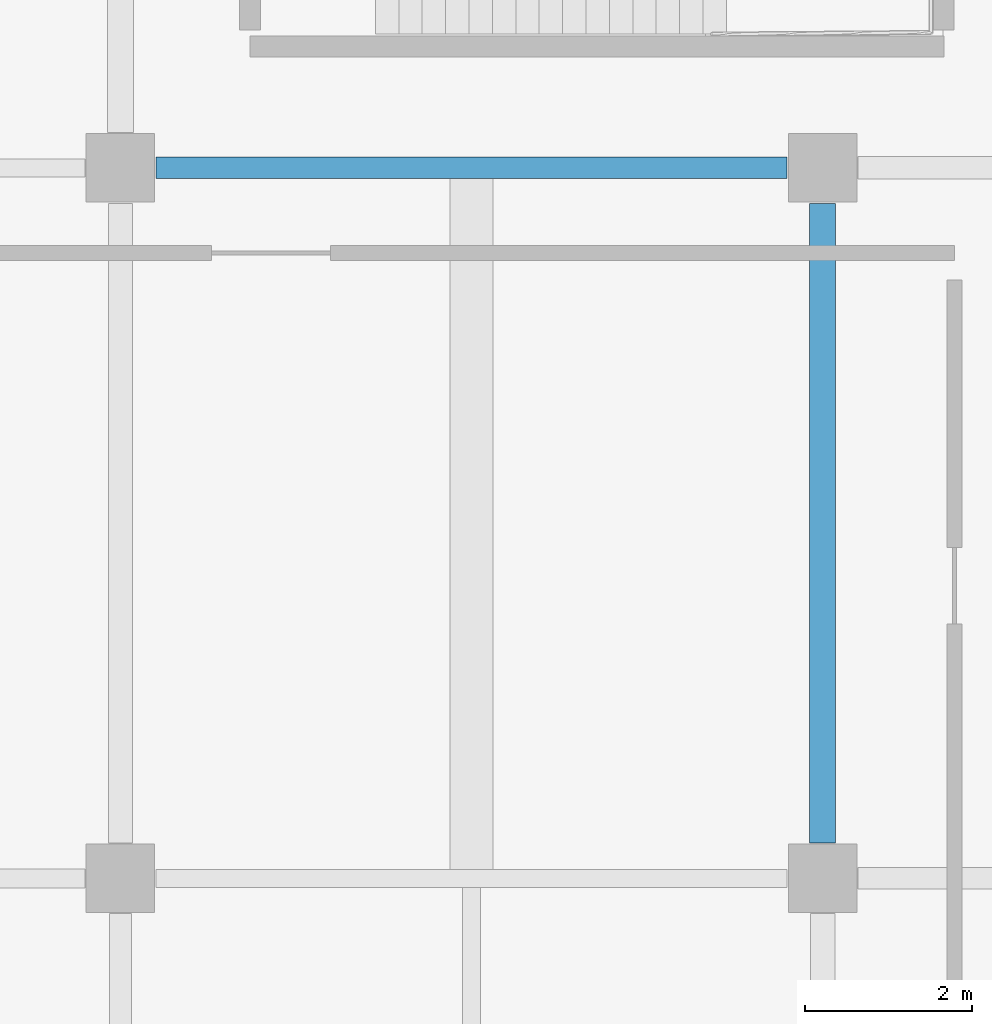
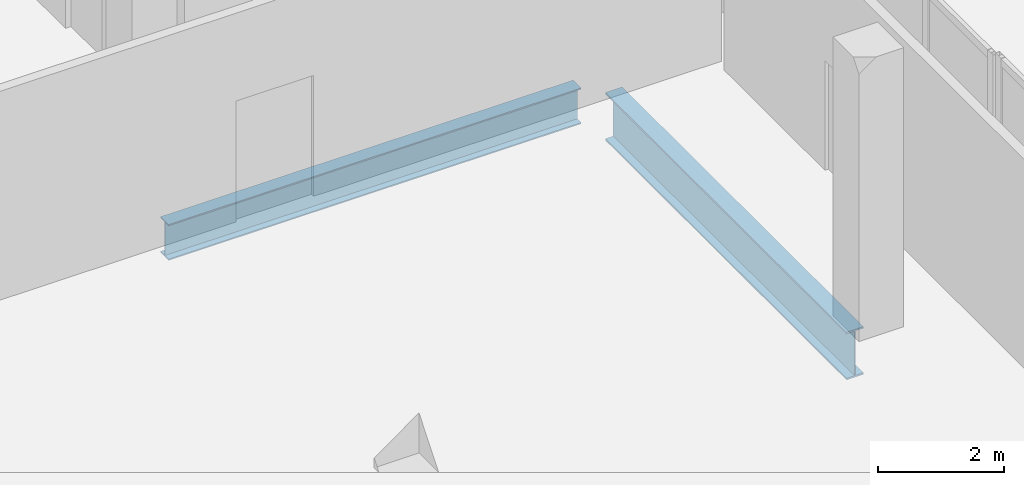
# One storey, part 25 of 107: 2 beams.
"""IFC4 building model written with IfcOpenShell, lengths in metres."""

from ifc_helpers import new_model, si_unit, direction, frame, origin, origin_2d, place, context, subcontext, project, spatial, i_section, extrude, material, material_profile, profile_set, type_object, element, save


model = new_model("IFC4")

# Units and contexts
model_context = context("Model", 3, precision=1e-05, world=origin(), true_north=direction((0.0, 1.0)))
body_context = subcontext(model_context, "Body", "Model", "MODEL_VIEW")
ifc_project = project(units=[si_unit("LENGTHUNIT", "METRE"), si_unit("AREAUNIT", "SQUARE_METRE"), si_unit("VOLUMEUNIT", "CUBIC_METRE"), si_unit("PLANEANGLEUNIT", "RADIAN"), si_unit("MASSUNIT", "GRAM", prefix="KILO")], contexts=[model_context])

# Site, building, storey
site_placement = place(None, origin())
site = spatial("IfcSite", under=ifc_project, at=site_placement, CompositionType="ELEMENT")
building_placement = place(site_placement, origin())
building = spatial("IfcBuilding", under=site, at=building_placement, Name="Solvento Point Concert Hall", CompositionType="ELEMENT")
storey_placement = place(building_placement, origin())
storey = spatial("IfcBuildingStorey", under=building, at=storey_placement, Name="L00", CompositionType="ELEMENT", Elevation=0.0)

# Beams
ifc_material_1 = material(Name="Structural Steel ASTM A992 Grade 50", Category="steel")
ifc_material_profile_1 = material_profile(ifc_material_1, i_section(OverallWidth=0.256103515625, OverallDepth=0.693115234375, WebThickness=0.014404296875, FlangeThickness=0.023681640625, at=origin_2d()), Name="W27X114")
ifc_profile_set_1 = profile_set([ifc_material_profile_1], Name="Structural Steel ASTM A992 Grade 50")
beam_type_1 = type_object("IfcBeamType", Name="Girder_W27X114", PredefinedType="USERDEFINED", material=ifc_profile_set_1)
beam_1_placement = place(storey_placement, frame((7.6240234375, 127.5, -0.760498046875), z_axis=(1.0, 0.0, 0.0), x_axis=(0.0, 1.0, 0.0)))
element("IfcBeam", 1, at=beam_1_placement, inside=storey, type_object=beam_type_1, Name="Primary girder B-23 L00", ObjectType="GIRDER", PredefinedType="USERDEFINED", context=body_context, shape_type="SweptSolid", body=[
    extrude(i_section(OverallWidth=0.256103515625, OverallDepth=0.693115234375, WebThickness=0.014404296875, FlangeThickness=0.023681640625, at=origin_2d()), origin(), (0.0, 0.0, 1.0), 7.552001953125),
])
ifc_material_2 = material(Name="Structural Steel ASTM A992 Grade 50", Category="steel")
ifc_material_profile_2 = material_profile(ifc_material_2, i_section(OverallWidth=0.3076171875, OverallDepth=0.927001953125, WebThickness=0.019287109375, FlangeThickness=0.031982421875, at=origin_2d()), Name="W36X194")
ifc_profile_set_2 = profile_set([ifc_material_profile_2], Name="Structural Steel ASTM A992 Grade 50")
beam_type_2 = type_object("IfcBeamType", Name="Girder_W36X194", PredefinedType="USERDEFINED", material=ifc_profile_set_2)
beam_2_placement = place(storey_placement, frame((15.60009765625, 119.424072265625, -0.87744140625), z_axis=(0.0, 1.0, 0.0), x_axis=(-1.0, 0.0, 0.0)))
element("IfcBeam", 2, at=beam_2_placement, inside=storey, type_object=beam_type_2, Name="Primary girder B-61 L00", ObjectType="GIRDER", PredefinedType="USERDEFINED", context=body_context, shape_type="SweptSolid", body=[
    extrude(i_section(OverallWidth=0.3076171875, OverallDepth=0.927001953125, WebThickness=0.019287109375, FlangeThickness=0.031982421875, at=origin_2d()), origin(), (0.0, 0.0, 1.0), 7.65185546875),
])

save(model, "model.ifc")
